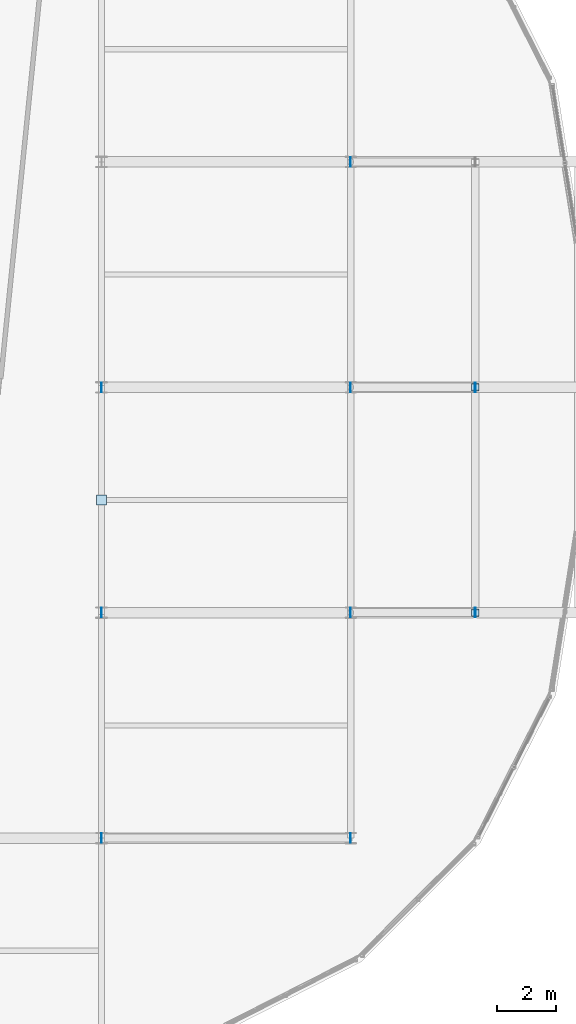
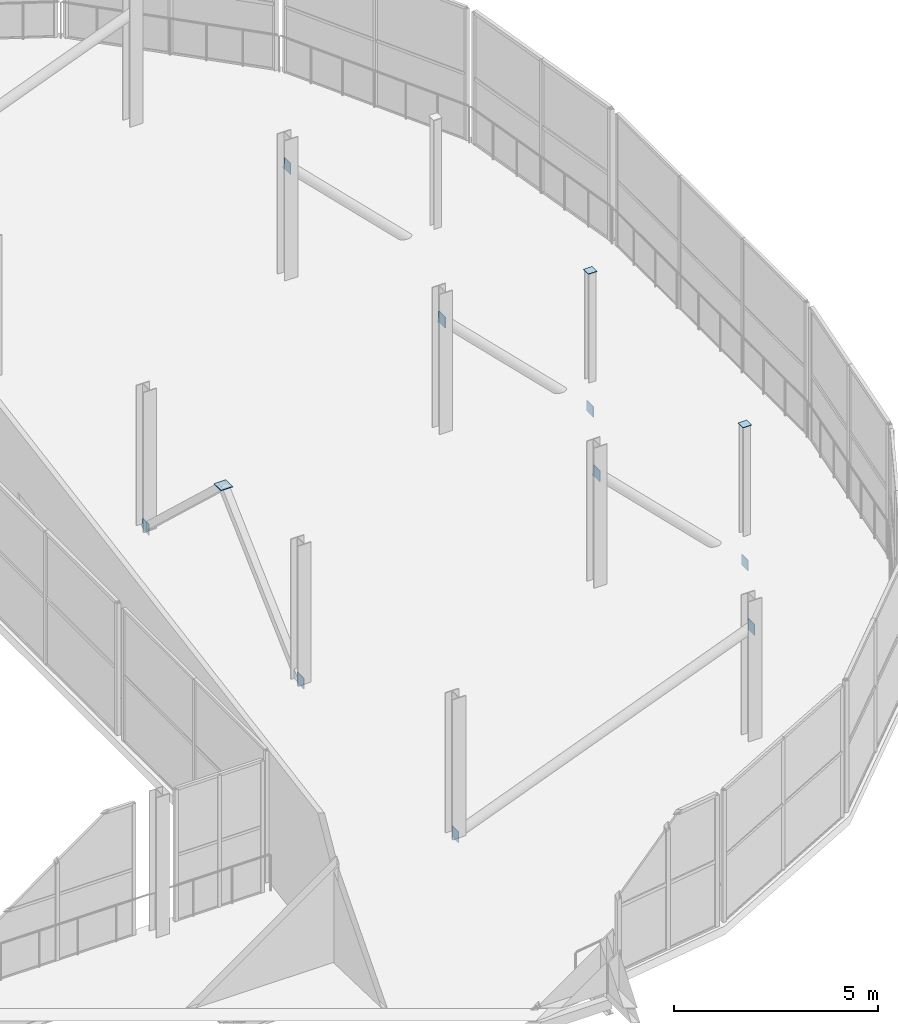
# One storey, part 190 of 217: 12 plates.
"""IFC4 building model written with IfcOpenShell, lengths in metres."""

from ifc_helpers import new_model, si_unit, direction, frame, origin, origin_2d, place, context, subcontext, project, spatial, rectangle, extrude, material, layer, layer_set, type_object, element, save


model = new_model("IFC4")

# Units and contexts
model_context = context("Model", 3, precision=1e-05, world=origin(), true_north=direction((0.0, 1.0)))
body_context = subcontext(model_context, "Body", "Model", "MODEL_VIEW")
ifc_project = project(units=[si_unit("LENGTHUNIT", "METRE"), si_unit("AREAUNIT", "SQUARE_METRE"), si_unit("VOLUMEUNIT", "CUBIC_METRE"), si_unit("PLANEANGLEUNIT", "RADIAN"), si_unit("MASSUNIT", "GRAM", prefix="KILO")], contexts=[model_context])

# Site, building, storey
site_placement = place(None, origin())
site = spatial("IfcSite", under=ifc_project, at=site_placement, CompositionType="ELEMENT")
building_placement = place(site_placement, origin())
building = spatial("IfcBuilding", under=site, at=building_placement, Name="Zuvorla Pavilion Media Centre", CompositionType="ELEMENT")
storey_placement = place(building_placement, frame((0.0, 0.0, 9.60009765625)))
storey = spatial("IfcBuildingStorey", under=building, at=storey_placement, Name="L02", CompositionType="ELEMENT", Elevation=9.60009765625)

# Plates
ifc_material = material(Name="Steel S355", Category="steel")
ifc_layer_1 = layer(ifc_material, 0.01611328125)
ifc_layer_set_1 = layer_set([ifc_layer_1], Name="Steel S355")
plate_type_1 = type_object("IfcPlateType", Name="PLT-CAP-16", PredefinedType="USERDEFINED", material=ifc_layer_set_1)
for number, where, z_axis, x_axis, name in (
    (1, (171.800048828125, 59.199951171875, 3.271728515625), (0.0, 0.0, 1.0), (1.0, 0.0, 0.0), "L02 cap plate CP16 176"),
    (2, (171.800048828125, 66.800048828125, 3.271728515625), (0.0, 0.0, 1.0), (1.0, 0.0, 0.0), "L02 cap plate CP16 182"),
):
    element("IfcPlate", number, at=place(storey_placement, frame(where, z_axis=z_axis, x_axis=x_axis)), inside=storey, type_object=plate_type_1, Name=name, ObjectType="CAP_PLATE", PredefinedType="USERDEFINED", context=body_context, shape_type="SweptSolid", body=[
        extrude(rectangle(XDim=0.239990234375, YDim=0.239990234375, at=origin_2d()), origin(), (0.0, 0.0, 1.0), 0.01611328125),
    ])
ifc_layer_2 = layer(ifc_material, 0.02197265625)
ifc_layer_set_2 = layer_set([ifc_layer_2], Name="Steel S355")
plate_type_2 = type_object("IfcPlateType", Name="PLT-CAP-22", PredefinedType="USERDEFINED", material=ifc_layer_set_2)
plate_placement = place(storey_placement, frame((159.199951171875, 63.0, 3.538818359375), z_axis=(0.0, 0.0, 1.0), x_axis=(1.0, 0.0, 0.0)))
element("IfcPlate", 3, at=plate_placement, inside=storey, type_object=plate_type_2, Name="L02 cap plate CP22 169", ObjectType="CAP_PLATE", PredefinedType="USERDEFINED", context=body_context, shape_type="SweptSolid", body=[
    extrude(rectangle(XDim=0.340087890625, YDim=0.340087890625, at=origin_2d()), origin(), (0.0, 0.0, 1.0), 0.02197265625),
])
ifc_layer_3 = layer(ifc_material, 0.02001953125)
ifc_layer_set_3 = layer_set([ifc_layer_3], Name="Steel S355")
plate_type_3 = type_object("IfcPlateType", Name="PLT-GUS-20", PredefinedType="USERDEFINED", material=ifc_layer_set_3)
for number, where, z_axis, x_axis, name in (
    (4, (167.60009765625, 59.199951171875, 3.11962890625), (0.0, 0.0, 1.0), (1.0, 0.0, 0.0), "L02 gusset plate GP20 174"),
    (5, (171.800048828125, 59.199951171875, -1.0302734375), (0.0, 0.0, 1.0), (1.0, 0.0, 0.0), "L02 gusset plate GP20 175"),
    (6, (167.60009765625, 66.800048828125, 3.11962890625), (0.0, 0.0, 1.0), (1.0, 0.0, 0.0), "L02 gusset plate GP20 180"),
    (7, (171.800048828125, 66.800048828125, -1.0302734375), (0.0, 0.0, 1.0), (1.0, 0.0, 0.0), "L02 gusset plate GP20 181"),
    (8, (167.60009765625, 74.39990234375, 3.11962890625), (0.0, 0.0, 1.0), (1.0, 0.0, 0.0), "L02 gusset plate GP20 186"),
    (9, (159.199951171875, 51.60009765625, -0.16015625), (0.0, 0.0, 1.0), (1.0, 0.0, 0.0), "L02 gusset plate GP20 203"),
    (10, (167.60009765625, 51.60009765625, 3.11962890625), (0.0, 0.0, 1.0), (1.0, 0.0, 0.0), "L02 gusset plate GP20 204"),
    (11, (159.199951171875, 59.199951171875, -0.16015625), (0.0, 0.0, 1.0), (1.0, 0.0, 0.0), "L02 gusset plate GP20 525"),
    (12, (159.199951171875, 66.800048828125, -0.16015625), (0.0, 0.0, 1.0), (1.0, 0.0, 0.0), "L02 gusset plate GP20 526"),
):
    element("IfcPlate", number, at=place(storey_placement, frame(where, z_axis=z_axis, x_axis=x_axis)), inside=storey, type_object=plate_type_3, Name=name, ObjectType="GUSSET_PLATE", PredefinedType="USERDEFINED", context=body_context, shape_type="SweptSolid", body=[
        extrude(rectangle(XDim=0.02001953125, YDim=0.320068359375, at=origin_2d()), origin(), (0.0, 0.0, 1.0), 0.320068359375),
    ])

save(model, "model.ifc")
